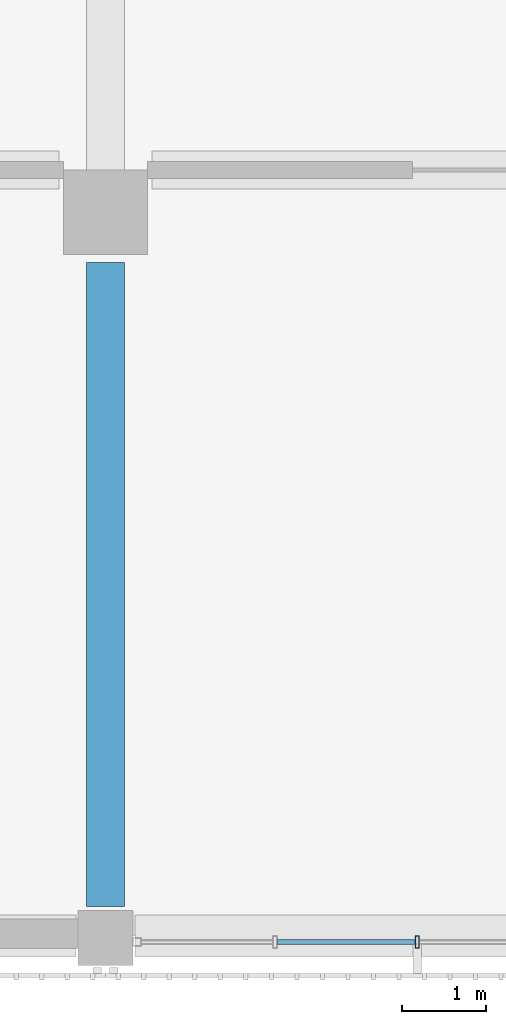
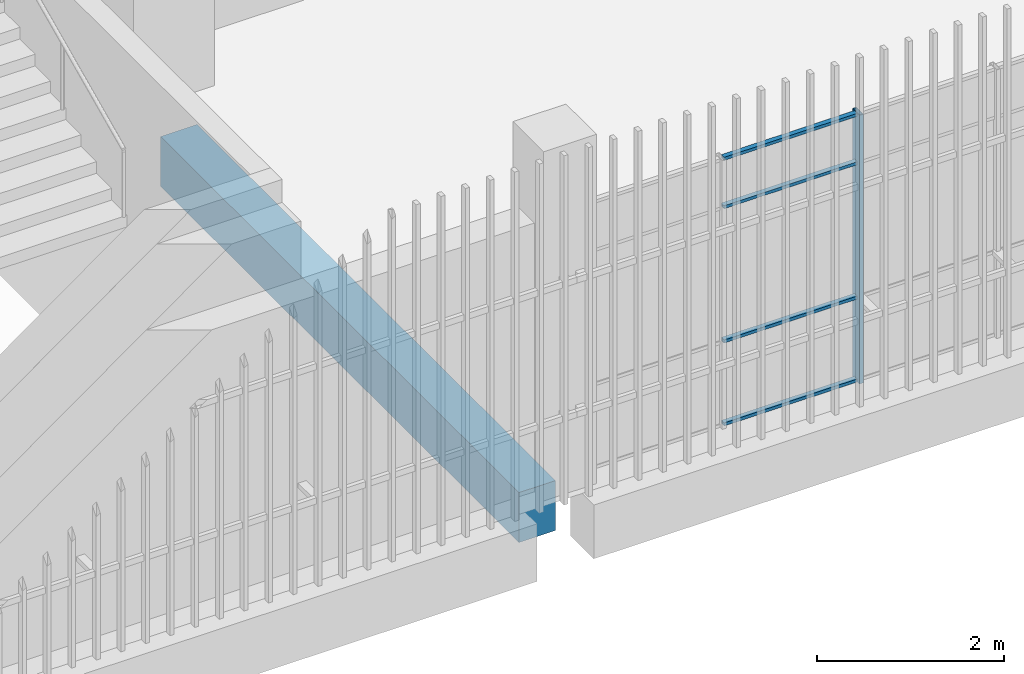
# One storey, part 20 of 126: 5 members, 1 beam, 1 element without a shape of its own.
"""IFC4 building model written with IfcOpenShell, lengths in metres."""

from ifc_helpers import new_model, si_unit, direction, frame, origin, origin_2d, place, context, subcontext, project, spatial, rectangle, hollow_rectangle, extrude, material, layer, layer_set, material_profile, profile_set, type_object, element, aggregate, save


model = new_model("IFC4")

# Units and contexts
model_context = context("Model", 3, precision=1e-05, world=origin(), true_north=direction((0.0, 1.0)))
body_context = subcontext(model_context, "Body", "Model", "MODEL_VIEW")
ifc_project = project(units=[si_unit("LENGTHUNIT", "METRE"), si_unit("AREAUNIT", "SQUARE_METRE"), si_unit("VOLUMEUNIT", "CUBIC_METRE"), si_unit("PLANEANGLEUNIT", "RADIAN"), si_unit("MASSUNIT", "GRAM", prefix="KILO")], contexts=[model_context])

# Site, building, storey
site_placement = place(None, origin())
site = spatial("IfcSite", under=ifc_project, at=site_placement, CompositionType="ELEMENT")
building_placement = place(site_placement, origin())
building = spatial("IfcBuilding", under=site, at=building_placement, Name="Shirokan Park Arena", CompositionType="ELEMENT")
storey_placement = place(building_placement, frame((0.0, 0.0, 6.3701171875)))
storey = spatial("IfcBuildingStorey", under=building, at=storey_placement, Name="L01", CompositionType="ELEMENT", Elevation=6.3701171875)

# Curtain wall, member
ifc_material_1 = material(Name="Steel and glass curtain wall", Category="steel")
ifc_layer = layer(ifc_material_1, 0.14990234375)
ifc_layer_set = layer_set([ifc_layer], Name="Steel and glass curtain wall 150 mm")
curtain_wall_type = type_object("IfcCurtainWallType", Name="Curtain wall exposed bay 150", PredefinedType="NOTDEFINED", material=ifc_layer_set)
curtain_wall_placement = place(storey_placement, origin())
curtain_wall = element("IfcCurtainWall", 1, at=curtain_wall_placement, inside=storey, type_object=curtain_wall_type, Name="Curtain wall south bay 11 L01", PredefinedType="NOTDEFINED")
ifc_material_2 = material(Name="Steel S355", Category="steel")
ifc_material_profile_1 = material_profile(ifc_material_2, hollow_rectangle(XDim=0.14990234375, YDim=0.050048828125, WallThickness=0.006103515625, at=origin_2d()), Name="RHS 150x50x6")
ifc_profile_set_1 = profile_set([ifc_material_profile_1], Name="Steel S355")
member_type_1 = type_object("IfcMemberType", Name="Mullion RHS 150x50x6", PredefinedType="MULLION", material=ifc_profile_set_1)
member_1_placement = place(storey_placement, frame((94.705078125, -0.074951171875, 0.0), z_axis=(0.0, 0.0, 1.0), x_axis=(0.0, 1.0, 0.0)))
member_1 = element("IfcMember", 2, at=member_1_placement, type_object=member_type_1, Name="CW1 mullion 3", PredefinedType="MULLION", context=body_context, shape_type="SweptSolid", body=[
    extrude(hollow_rectangle(XDim=0.14990234375, YDim=0.050048828125, WallThickness=0.006103515625, at=origin_2d()), origin(), (0.0, 0.0, 1.0), 3.5),
])

# Beam
ifc_material_3 = material(Name="Concrete C35", Category="concrete")
ifc_material_profile_2 = material_profile(ifc_material_3, rectangle(XDim=0.449951171875, YDim=0.64990234375, at=origin_2d()), Name="450x650")
ifc_profile_set_2 = profile_set([ifc_material_profile_2], Name="Concrete C35")
beam_type = type_object("IfcBeamType", Name="RC girder 450x650", PredefinedType="BEAM", material=ifc_profile_set_2)
beam_placement = place(storey_placement, frame((91.0, 0.35009765625, -0.675048828125), z_axis=(0.0, 1.0, 0.0), x_axis=(-1.0, 0.0, 0.0)))
element("IfcBeam", 3, at=beam_placement, inside=storey, type_object=beam_type, Name="Girder 11A-11B L01", PredefinedType="BEAM", context=body_context, shape_type="SweptSolid", body=[
    extrude(rectangle(XDim=0.449951171875, YDim=0.64990234375, at=origin_2d()), origin(), (0.0, 0.0, 1.0), 7.64990234375),
])

# Member
ifc_material_profile_3 = material_profile(ifc_material_2, hollow_rectangle(XDim=0.06005859375, YDim=0.0400390625, WallThickness=0.00390625, at=origin_2d()), Name="RHS 60x40x4")
ifc_profile_set_3 = profile_set([ifc_material_profile_3], Name="Steel S355")
member_type_2 = type_object("IfcMemberType", Name="Transom RHS 60x40x4", PredefinedType="MULLION", material=ifc_profile_set_3)
member_2_placement = place(storey_placement, frame((93.0400390625, -0.074951171875, 0.019775390625), z_axis=(1.0, 0.0, 0.0), x_axis=(0.0, 1.0, 0.0)))
member_2 = element("IfcMember", 4, at=member_2_placement, type_object=member_type_2, Name="CW1 transom 2.1", PredefinedType="MULLION", context=body_context, shape_type="SweptSolid", body=[
    extrude(hollow_rectangle(XDim=0.06005859375, YDim=0.0400390625, WallThickness=0.00390625, at=origin_2d()), origin(), (0.0, 0.0, 1.0), 1.639892578125),
])

member_3_placement = place(storey_placement, frame((93.0400390625, -0.074951171875, 1.099853515625), z_axis=(1.0, 0.0, 0.0), x_axis=(0.0, 1.0, 0.0)))
member_3 = element("IfcMember", 5, at=member_3_placement, type_object=member_type_2, Name="CW1 transom 2.2", PredefinedType="MULLION", context=body_context, shape_type="SweptSolid", body=[
    extrude(hollow_rectangle(XDim=0.06005859375, YDim=0.0400390625, WallThickness=0.00390625, at=origin_2d()), origin(), (0.0, 0.0, 1.0), 1.639892578125),
])

member_4_placement = place(storey_placement, frame((93.0400390625, -0.074951171875, 2.849853515625), z_axis=(1.0, 0.0, 0.0), x_axis=(0.0, 1.0, 0.0)))
member_4 = element("IfcMember", 6, at=member_4_placement, type_object=member_type_2, Name="CW1 transom 2.3", PredefinedType="MULLION", context=body_context, shape_type="SweptSolid", body=[
    extrude(hollow_rectangle(XDim=0.06005859375, YDim=0.0400390625, WallThickness=0.00390625, at=origin_2d()), origin(), (0.0, 0.0, 1.0), 1.639892578125),
])

member_5_placement = place(storey_placement, frame((93.0400390625, -0.074951171875, 3.47998046875), z_axis=(1.0, 0.0, 0.0), x_axis=(0.0, 1.0, 0.0)))
member_5 = element("IfcMember", 7, at=member_5_placement, type_object=member_type_2, Name="CW1 transom 2.4", PredefinedType="MULLION", context=body_context, shape_type="SweptSolid", body=[
    extrude(hollow_rectangle(XDim=0.06005859375, YDim=0.0400390625, WallThickness=0.00390625, at=origin_2d()), origin(), (0.0, 0.0, 1.0), 1.639892578125),
])

aggregate(curtain_wall, [member_1, member_2, member_3, member_4, member_5])

save(model, "model.ifc")
